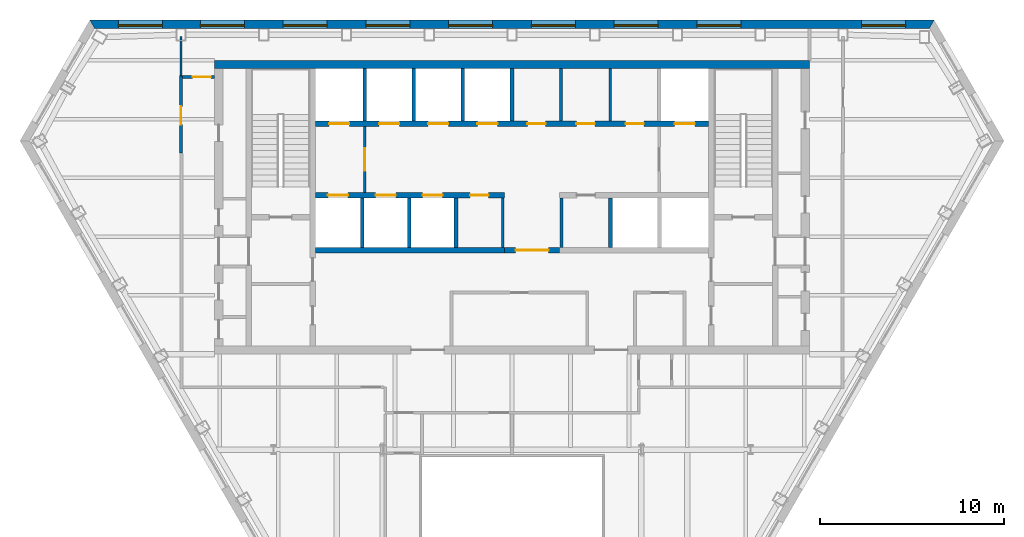
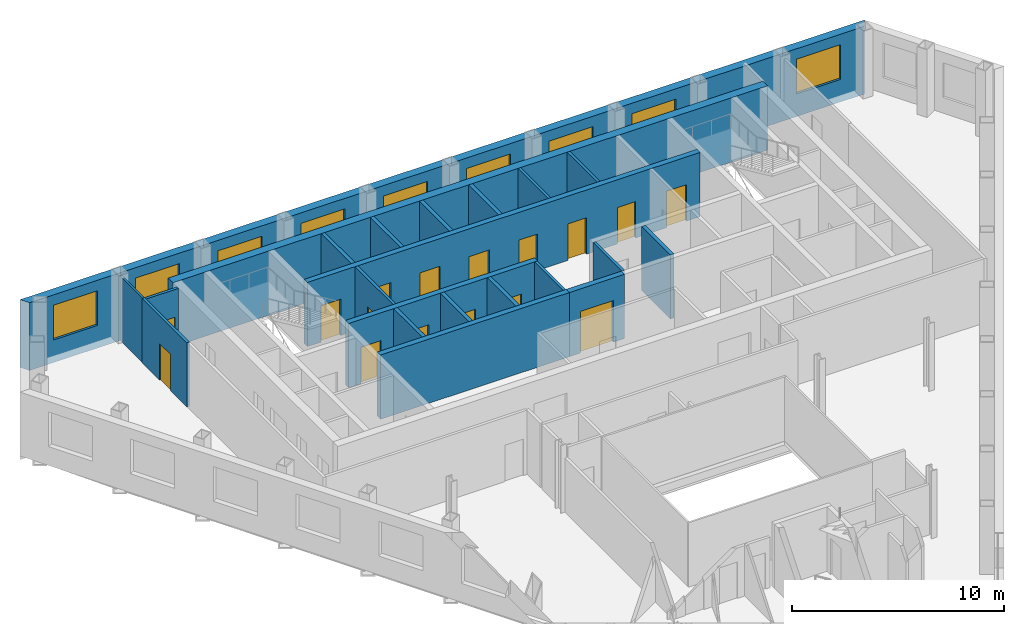
# One storey, part 6 of 10: 22 walls, 16 doors, 9 windows, 25 openings.
"""IFC4 building model written with IfcOpenShell, lengths in metres."""

from ifc_helpers import new_model, si_unit, direction, frame, frame_2d, origin, place, context, subcontext, project, spatial, polyline, rectangle, outline, extrude, material, layer, layer_set, type_object, element, fill, save


model = new_model("IFC4")

# Units and contexts
model_context = context("Model", 3, precision=1e-05, world=origin(), true_north=direction((0.0, 1.0)))
body_context = subcontext(model_context, "Body", "Model", "MODEL_VIEW")
ifc_project = project(units=[si_unit("LENGTHUNIT", "METRE"), si_unit("AREAUNIT", "SQUARE_METRE"), si_unit("VOLUMEUNIT", "CUBIC_METRE"), si_unit("PLANEANGLEUNIT", "RADIAN"), si_unit("MASSUNIT", "GRAM", prefix="KILO")], contexts=[model_context])

# Site, building, storey
site_placement = place(None, origin())
site = spatial("IfcSite", under=ifc_project, at=site_placement, CompositionType="ELEMENT")
building_placement = place(site_placement, origin())
building = spatial("IfcBuilding", under=site, at=building_placement, Name="Njiva Tower", CompositionType="ELEMENT")
storey_placement = place(building_placement, frame((0.0, 0.0, 192.6)))
storey = spatial("IfcBuildingStorey", under=building, at=storey_placement, Name="L42", CompositionType="ELEMENT", Elevation=192.6)

# Walls
ifc_material_1 = material(Name="Blockwork", Category="masonry")
ifc_layer_1 = layer(ifc_material_1, 0.15)
ifc_layer_set_1 = layer_set([ifc_layer_1], Name="Blockwork")
wall_type_1 = type_object("IfcWallType", Name="WT1 Compartment partition 150", PredefinedType="PARTITIONING", material=ifc_layer_set_1)
for number, where, z_axis, x_axis, name in (
    (1, (2.675, 14.7, 0.0), (0.0, 0.0, 1.0), (0.0, 1.0, 0.0), "Partition CN5"),
    (2, (5.35, 14.7, 0.0), (0.0, 0.0, 1.0), (0.0, 1.0, 0.0), "Partition CN6"),
):
    element("IfcWall", number, at=place(storey_placement, frame(where, z_axis=z_axis, x_axis=x_axis)), inside=storey, type_object=wall_type_1, Name=name, PredefinedType="PARTITIONING", context=body_context, shape_type="SweptSolid", body=[
        extrude(rectangle(XDim=2.85, YDim=0.15, at=frame_2d((1.425, 0.0))), origin(), (0.0, 0.0, 1.0), 3.7),
    ])
for number, where, z_axis, x_axis, name in (
    (3, (-0.5, 7.8, 0.0), (0.0, 0.0, 1.0), (0.0, 1.0, 0.0), "Partition CS4"),
    (4, (2.7, 7.8, 0.0), (0.0, 0.0, 1.0), (0.0, 1.0, 0.0), "Partition CS5"),
):
    element("IfcWall", number, at=place(storey_placement, frame(where, z_axis=z_axis, x_axis=x_axis)), inside=storey, type_object=wall_type_1, Name=name, PredefinedType="PARTITIONING", context=body_context, shape_type="SweptSolid", body=[
        extrude(rectangle(XDim=2.7, YDim=0.15, at=frame_2d((1.35, 0.0))), origin(), (0.0, 0.0, 1.0), 3.7),
    ])
ifc_material_2 = material(Name="Concrete C60/75", Category="concrete")
ifc_layer_2 = layer(ifc_material_2, 0.45)
ifc_layer_set_2 = layer_set([ifc_layer_2], Name="Concrete C60/75")
wall_type_2 = type_object("IfcWallType", Name="WT12 Core wall 450", PredefinedType="SHEAR", material=ifc_layer_set_2)
wall_1_placement = place(storey_placement, frame((-16.2, 17.775, 0.0), z_axis=(0.0, 0.0, 1.0), x_axis=(1.0, 0.0, 0.0)))
element("IfcWall", 5, at=wall_1_placement, inside=storey, type_object=wall_type_2, Name="Core wall north", PredefinedType="SHEAR", context=body_context, shape_type="SweptSolid", body=[
    extrude(rectangle(XDim=32.4, YDim=0.45, at=frame_2d((16.2, 0.0))), origin(), (0.0, 0.0, 1.0), 3.7),
])

# Wall, opening, door
ifc_layer_3 = layer(ifc_material_1, 0.15)
ifc_layer_set_3 = layer_set([ifc_layer_3], Name="Blockwork")
wall_type_3 = type_object("IfcWallType", Name="WT2 Lobby partition 150", PredefinedType="PARTITIONING", material=ifc_layer_set_3)
wall_2_placement = place(storey_placement, frame((-8.025, 10.8, 0.0), z_axis=(0.0, 0.0, 1.0), x_axis=(0.0, 1.0, 0.0)))
wall_2 = element("IfcWall", 6, at=wall_2_placement, inside=storey, type_object=wall_type_3, Name="Firefighting lobby wall A", PredefinedType="PARTITIONING", context=body_context, shape_type="SweptSolid", body=[
    extrude(rectangle(XDim=3.6, YDim=0.15, at=frame_2d((1.8, 0.0))), origin(), (0.0, 0.0, 1.0), 3.7),
])
opening_1_placement = place(wall_2_placement, frame((1.175, 0.0, 0.0)))
opening_1 = element("IfcOpeningElement", 7, at=opening_1_placement, cuts=wall_2, Name="Opening S14-D914", PredefinedType="OPENING", context=body_context, shape_type="SweptSolid", body=[
    extrude(rectangle(XDim=1.25, YDim=2.1, at=frame_2d((0.625, 1.05))), frame((0.0, 0.085, 0.0), z_axis=(0.0, -1.0, 0.0), x_axis=(1.0, 0.0, 0.0)), (0.0, 0.0, 1.0), 0.17),
])
ifc_material_3 = material(Name="Glazed steel fire door", Category="steel")
door_type_1 = type_object("IfcDoorType", Name="D8 Vestibule corridor door 1250x2100 glazed", OperationType="SINGLE_SWING_LEFT", PredefinedType="DOOR", material=ifc_material_3)
door_1_placement = place(opening_1_placement, origin())
door_1 = element("IfcDoor", 8, at=door_1_placement, inside=storey, type_object=door_type_1, Name="Stair vestibule corridor door", OperationType="SINGLE_SWING_RIGHT", OverallHeight=2.1, OverallWidth=1.25, PredefinedType="DOOR", context=body_context, shape_type="SweptSolid", body=[
    extrude(rectangle(XDim=1.25, YDim=2.1, at=frame_2d((0.625, 1.05))), frame((0.0, 0.025, 0.0), z_axis=(0.0, -1.0, 0.0), x_axis=(1.0, 0.0, 0.0)), (0.0, 0.0, 1.0), 0.05),
])
fill(opening_1, door_1)

# Wall
ifc_material_4 = material(Name="Gypsum board on steel studs", Category="gypsum")
ifc_layer_4 = layer(ifc_material_4, 0.1)
ifc_layer_set_4 = layer_set([ifc_layer_4], Name="Gypsum board on steel studs")
wall_type_4 = type_object("IfcWallType", Name="WT20 Gypsum partition 100", PredefinedType="PARTITIONING", material=ifc_layer_set_4)
wall_3_placement = place(storey_placement, frame((-18.031, 17.168, 0.0), z_axis=(0.0, 0.0, 1.0), x_axis=(0.0, 1.0, 0.0)))
element("IfcWall", 9, at=wall_3_placement, inside=storey, type_object=wall_type_4, Name="Partition S14-P002", PredefinedType="PARTITIONING", context=body_context, shape_type="SweptSolid", body=[
    extrude(rectangle(XDim=2.132, YDim=0.1, at=frame_2d((1.066, 0.0))), origin(), (0.0, 0.0, 1.0), 3.7),
])

# Wall, opening, door
ifc_layer_5 = layer(ifc_material_4, 0.15)
ifc_layer_set_5 = layer_set([ifc_layer_5], Name="Gypsum board on steel studs")
wall_type_5 = type_object("IfcWallType", Name="WT21 Compartment wall 150", PredefinedType="PARTITIONING", material=ifc_layer_set_5)
wall_4_placement = place(storey_placement, frame((-18.031, 12.943, 0.0), z_axis=(0.0, 0.0, 1.0), x_axis=(0.0, 1.0, 0.0)))
wall_4 = element("IfcWall", 10, at=wall_4_placement, inside=storey, type_object=wall_type_5, Name="Partition S14-P001", PredefinedType="PARTITIONING", context=body_context, shape_type="SweptSolid", body=[
    extrude(rectangle(XDim=4.225, YDim=0.15, at=frame_2d((2.1125, 0.0))), origin(), (0.0, 0.0, 1.0), 3.7),
])
opening_2_placement = place(wall_4_placement, frame((1.556, 0.0, 0.0)))
opening_2 = element("IfcOpeningElement", 11, at=opening_2_placement, cuts=wall_4, Name="Opening S14-D001", PredefinedType="OPENING", context=body_context, shape_type="SweptSolid", body=[
    extrude(rectangle(XDim=1.0, YDim=2.1, at=frame_2d((0.5, 1.05))), frame((0.0, 0.085, 0.0), z_axis=(0.0, -1.0, 0.0), x_axis=(1.0, 0.0, 0.0)), (0.0, 0.0, 1.0), 0.17),
])
ifc_material_5 = material(Name="Steel fire door set", Category="steel")
door_type_2 = type_object("IfcDoorType", Name="D37 Fire door 1000x2100", OperationType="SINGLE_SWING_LEFT", PredefinedType="DOOR", material=ifc_material_5)
door_2_placement = place(opening_2_placement, origin())
door_2 = element("IfcDoor", 12, at=door_2_placement, inside=storey, type_object=door_type_2, Name="Door S14-D001", OperationType="SINGLE_SWING_LEFT", OverallHeight=2.1, OverallWidth=1.0, PredefinedType="DOOR", context=body_context, shape_type="SweptSolid", body=[
    extrude(rectangle(XDim=1.0, YDim=2.1, at=frame_2d((0.5, 1.05))), frame((0.0, 0.025, 0.0), z_axis=(0.0, -1.0, 0.0), x_axis=(1.0, 0.0, 0.0)), (0.0, 0.0, 1.0), 0.05),
])
fill(opening_2, door_2)

wall_5_placement = place(storey_placement, frame((-17.956, 17.093, 0.0), z_axis=(0.0, 0.0, 1.0), x_axis=(1.0, 0.0, 0.0)))
wall_5 = element("IfcWall", 13, at=wall_5_placement, inside=storey, type_object=wall_type_5, Name="Partition S14-P004", PredefinedType="PARTITIONING", context=body_context, shape_type="SweptSolid", body=[
    extrude(rectangle(XDim=1.756, YDim=0.15, at=frame_2d((0.878, 0.0))), origin(), (0.0, 0.0, 1.0), 3.7),
])
opening_3_placement = place(wall_5_placement, frame((0.556, 0.0, 0.0)))
opening_3 = element("IfcOpeningElement", 14, at=opening_3_placement, cuts=wall_5, Name="Opening S14-D002", PredefinedType="OPENING", context=body_context, shape_type="SweptSolid", body=[
    extrude(rectangle(XDim=1.0, YDim=2.1, at=frame_2d((0.5, 1.05))), frame((0.0, 0.085, 0.0), z_axis=(0.0, -1.0, 0.0), x_axis=(1.0, 0.0, 0.0)), (0.0, 0.0, 1.0), 0.17),
])
door_3_placement = place(opening_3_placement, origin())
door_3 = element("IfcDoor", 15, at=door_3_placement, inside=storey, type_object=door_type_2, Name="Door S14-D002", OperationType="SINGLE_SWING_LEFT", OverallHeight=2.1, OverallWidth=1.0, PredefinedType="DOOR", context=body_context, shape_type="SweptSolid", body=[
    extrude(rectangle(XDim=1.0, YDim=2.1, at=frame_2d((0.5, 1.05))), frame((0.0, 0.025, 0.0), z_axis=(0.0, -1.0, 0.0), x_axis=(1.0, 0.0, 0.0)), (0.0, 0.0, 1.0), 0.05),
])
fill(opening_3, door_3)

ifc_layer_6 = layer(ifc_material_1, 0.3)
ifc_layer_set_6 = layer_set([ifc_layer_6], Name="Blockwork")
wall_type_6 = type_object("IfcWallType", Name="WT5 Lobby partition 300", PredefinedType="PARTITIONING", material=ifc_layer_set_6)
wall_6_placement = place(storey_placement, frame((-0.4, 7.65, 0.0), z_axis=(0.0, 0.0, 1.0), x_axis=(1.0, 0.0, 0.0)))
wall_6 = element("IfcWall", 16, at=wall_6_placement, inside=storey, type_object=wall_type_6, Name="Lift lobby screen wall", PredefinedType="PARTITIONING", context=body_context, shape_type="SweptSolid", body=[
    extrude(rectangle(XDim=3.0, YDim=0.3, at=frame_2d((1.5, 0.0))), origin(), (0.0, 0.0, 1.0), 3.7),
])
opening_4_placement = place(wall_6_placement, frame((0.6, 0.0, 0.0)))
opening_4 = element("IfcOpeningElement", 17, at=opening_4_placement, cuts=wall_6, Name="Opening S14-D936", PredefinedType="OPENING", context=body_context, shape_type="SweptSolid", body=[
    extrude(rectangle(XDim=1.8, YDim=2.4, at=frame_2d((0.9, 1.2))), frame((0.0, 0.16, 0.0), z_axis=(0.0, -1.0, 0.0), x_axis=(1.0, 0.0, 0.0)), (0.0, 0.0, 1.0), 0.32),
])
ifc_material_6 = material(Name="Steel and glass door", Category="steel")
door_type_3 = type_object("IfcDoorType", Name="D3 Core entrance door 1800x2400", OperationType="DOUBLE_DOOR_SINGLE_SWING", PredefinedType="DOOR", material=ifc_material_6)
door_4_placement = place(opening_4_placement, origin())
door_4 = element("IfcDoor", 18, at=door_4_placement, inside=storey, type_object=door_type_3, Name="Core entrance door", OperationType="DOUBLE_DOOR_SINGLE_SWING", OverallHeight=2.4, OverallWidth=1.8, PredefinedType="DOOR", context=body_context, shape_type="SweptSolid", body=[
    extrude(rectangle(XDim=1.8, YDim=2.4, at=frame_2d((0.9, 1.2))), frame((0.0, 0.025, 0.0), z_axis=(0.0, -1.0, 0.0), x_axis=(1.0, 0.0, 0.0)), (0.0, 0.0, 1.0), 0.05),
])
fill(opening_4, door_4)

# Walls
ifc_material_7 = material(Name="Concrete C40/50", Category="concrete")
ifc_layer_7 = layer(ifc_material_7, 0.2)
ifc_layer_set_7 = layer_set([ifc_layer_7], Name="Concrete C40/50")
wall_type_7 = type_object("IfcWallType", Name="WT6 Lift shaft wall 200", PredefinedType="SHEAR", material=ifc_layer_set_7)
for number, where, z_axis, x_axis, name in (
    (19, (-8.025, 14.7, 0.0), (0.0, 0.0, 1.0), (0.0, 1.0, 0.0), "Shaft wall CN1"),
    (20, (-5.35, 14.7, 0.0), (0.0, 0.0, 1.0), (0.0, 1.0, 0.0), "Shaft wall CN2"),
    (21, (-2.675, 14.7, 0.0), (0.0, 0.0, 1.0), (0.0, 1.0, 0.0), "Shaft wall CN3"),
    (22, (0.0, 14.7, 0.0), (0.0, 0.0, 1.0), (0.0, 1.0, 0.0), "Shaft wall CN4"),
):
    element("IfcWall", number, at=place(storey_placement, frame(where, z_axis=z_axis, x_axis=x_axis)), inside=storey, type_object=wall_type_7, Name=name, PredefinedType="SHEAR", context=body_context, shape_type="SweptSolid", body=[
        extrude(rectangle(XDim=2.85, YDim=0.2, at=frame_2d((1.425, 0.0))), origin(), (0.0, 0.0, 1.0), 3.7),
    ])
for number, where, z_axis, x_axis, name in (
    (23, (-8.15, 7.8, 0.0), (0.0, 0.0, 1.0), (0.0, 1.0, 0.0), "Shaft wall CS1"),
    (24, (-5.6, 7.8, 0.0), (0.0, 0.0, 1.0), (0.0, 1.0, 0.0), "Shaft wall CS2"),
    (25, (-3.05, 7.8, 0.0), (0.0, 0.0, 1.0), (0.0, 1.0, 0.0), "Shaft wall CS3"),
    (26, (5.3667, 7.8, 0.0), (0.0, 0.0, 1.0), (0.0, 1.0, 0.0), "Shaft wall CS6"),
):
    element("IfcWall", number, at=place(storey_placement, frame(where, z_axis=z_axis, x_axis=x_axis)), inside=storey, type_object=wall_type_7, Name=name, PredefinedType="SHEAR", context=body_context, shape_type="SweptSolid", body=[
        extrude(rectangle(XDim=2.7, YDim=0.2, at=frame_2d((1.35, 0.0))), origin(), (0.0, 0.0, 1.0), 3.7),
    ])

# Wall, openings, doors
ifc_layer_8 = layer(ifc_material_7, 0.3)
ifc_layer_set_8 = layer_set([ifc_layer_8], Name="Concrete C40/50")
wall_type_8 = type_object("IfcWallType", Name="WT7 Lift shaft wall 300", PredefinedType="SHEAR", material=ifc_layer_set_8)
wall_7_placement = place(storey_placement, frame((-10.7, 14.55, 0.0), z_axis=(0.0, 0.0, 1.0), x_axis=(1.0, 0.0, 0.0)))
wall_7 = element("IfcWall", 27, at=wall_7_placement, inside=storey, type_object=wall_type_8, Name="Shaft wall north row lobby side", PredefinedType="SHEAR", context=body_context, shape_type="SweptSolid", body=[
    extrude(rectangle(XDim=21.4, YDim=0.3, at=frame_2d((10.7, 0.0))), origin(), (0.0, 0.0, 1.0), 3.7),
])
opening_5_placement = place(wall_7_placement, frame((0.7375, 0.0, 0.0)))
opening_5 = element("IfcOpeningElement", 28, at=opening_5_placement, cuts=wall_7, Name="Opening S14-D901", PredefinedType="OPENING", context=body_context, shape_type="SweptSolid", body=[
    extrude(rectangle(XDim=1.1, YDim=2.1, at=frame_2d((0.55, 1.05))), frame((0.0, 0.16, 0.0), z_axis=(0.0, -1.0, 0.0), x_axis=(1.0, 0.0, 0.0)), (0.0, 0.0, 1.0), 0.32),
])
opening_6_placement = place(wall_7_placement, frame((3.4625, 0.0, 0.0)))
opening_6 = element("IfcOpeningElement", 29, at=opening_6_placement, cuts=wall_7, Name="Opening S14-D902", PredefinedType="OPENING", context=body_context, shape_type="SweptSolid", body=[
    extrude(rectangle(XDim=1.1, YDim=2.1, at=frame_2d((0.55, 1.05))), frame((0.0, 0.16, 0.0), z_axis=(0.0, -1.0, 0.0), x_axis=(1.0, 0.0, 0.0)), (0.0, 0.0, 1.0), 0.32),
])
opening_7_placement = place(wall_7_placement, frame((6.1375, 0.0, 0.0)))
opening_7 = element("IfcOpeningElement", 30, at=opening_7_placement, cuts=wall_7, Name="Opening S14-D903", PredefinedType="OPENING", context=body_context, shape_type="SweptSolid", body=[
    extrude(rectangle(XDim=1.1, YDim=2.1, at=frame_2d((0.55, 1.05))), frame((0.0, 0.16, 0.0), z_axis=(0.0, -1.0, 0.0), x_axis=(1.0, 0.0, 0.0)), (0.0, 0.0, 1.0), 0.32),
])
opening_8_placement = place(wall_7_placement, frame((8.8125, 0.0, 0.0)))
opening_8 = element("IfcOpeningElement", 31, at=opening_8_placement, cuts=wall_7, Name="Opening S14-D904", PredefinedType="OPENING", context=body_context, shape_type="SweptSolid", body=[
    extrude(rectangle(XDim=1.1, YDim=2.1, at=frame_2d((0.55, 1.05))), frame((0.0, 0.16, 0.0), z_axis=(0.0, -1.0, 0.0), x_axis=(1.0, 0.0, 0.0)), (0.0, 0.0, 1.0), 0.32),
])
opening_9_placement = place(wall_7_placement, frame((19.5625, 0.0, 0.0)))
opening_9 = element("IfcOpeningElement", 32, at=opening_9_placement, cuts=wall_7, Name="Opening S14-D905", PredefinedType="OPENING", context=body_context, shape_type="SweptSolid", body=[
    extrude(rectangle(XDim=1.1, YDim=2.1, at=frame_2d((0.55, 1.05))), frame((0.0, 0.16, 0.0), z_axis=(0.0, -1.0, 0.0), x_axis=(1.0, 0.0, 0.0)), (0.0, 0.0, 1.0), 0.32),
])
opening_10_placement = place(wall_7_placement, frame((11.5375, 0.0, 0.0)))
opening_10 = element("IfcOpeningElement", 33, at=opening_10_placement, cuts=wall_7, Name="Opening S14-D909", PredefinedType="OPENING", context=body_context, shape_type="SweptSolid", body=[
    extrude(rectangle(XDim=1.0, YDim=2.1, at=frame_2d((0.5, 1.05))), frame((0.0, 0.16, 0.0), z_axis=(0.0, -1.0, 0.0), x_axis=(1.0, 0.0, 0.0)), (0.0, 0.0, 1.0), 0.32),
])
opening_11_placement = place(wall_7_placement, frame((14.2125, 0.0, 0.0)))
opening_11 = element("IfcOpeningElement", 34, at=opening_11_placement, cuts=wall_7, Name="Opening S14-D910", PredefinedType="OPENING", context=body_context, shape_type="SweptSolid", body=[
    extrude(rectangle(XDim=1.0, YDim=2.1, at=frame_2d((0.5, 1.05))), frame((0.0, 0.16, 0.0), z_axis=(0.0, -1.0, 0.0), x_axis=(1.0, 0.0, 0.0)), (0.0, 0.0, 1.0), 0.32),
])
opening_12_placement = place(wall_7_placement, frame((16.8875, 0.0, 0.0)))
opening_12 = element("IfcOpeningElement", 35, at=opening_12_placement, cuts=wall_7, Name="Opening S14-D911", PredefinedType="OPENING", context=body_context, shape_type="SweptSolid", body=[
    extrude(rectangle(XDim=1.0, YDim=2.1, at=frame_2d((0.5, 1.05))), frame((0.0, 0.16, 0.0), z_axis=(0.0, -1.0, 0.0), x_axis=(1.0, 0.0, 0.0)), (0.0, 0.0, 1.0), 0.32),
])
ifc_material_8 = material(Name="Steel door, painted", Category="steel")
door_type_4 = type_object("IfcDoorType", Name="D5 Steel door 1000x2100", OperationType="SINGLE_SWING_LEFT", PredefinedType="DOOR", material=ifc_material_8)
door_5_placement = place(opening_10_placement, origin())
door_5 = element("IfcDoor", 36, at=door_5_placement, inside=storey, type_object=door_type_4, Name="First aid room door", OperationType="SINGLE_SWING_LEFT", OverallHeight=2.1, OverallWidth=1.0, PredefinedType="DOOR", context=body_context, shape_type="SweptSolid", body=[
    extrude(rectangle(XDim=1.0, YDim=2.1, at=frame_2d((0.5, 1.05))), frame((0.0, 0.025, 0.0), z_axis=(0.0, -1.0, 0.0), x_axis=(1.0, 0.0, 0.0)), (0.0, 0.0, 1.0), 0.05),
])
fill(opening_10, door_5)
door_6_placement = place(opening_11_placement, origin())
door_6 = element("IfcDoor", 37, at=door_6_placement, inside=storey, type_object=door_type_4, Name="Breakout room door", OperationType="SINGLE_SWING_LEFT", OverallHeight=2.1, OverallWidth=1.0, PredefinedType="DOOR", context=body_context, shape_type="SweptSolid", body=[
    extrude(rectangle(XDim=1.0, YDim=2.1, at=frame_2d((0.5, 1.05))), frame((0.0, 0.025, 0.0), z_axis=(0.0, -1.0, 0.0), x_axis=(1.0, 0.0, 0.0)), (0.0, 0.0, 1.0), 0.05),
])
fill(opening_11, door_6)
door_7_placement = place(opening_12_placement, origin())
door_7 = element("IfcDoor", 38, at=door_7_placement, inside=storey, type_object=door_type_4, Name="Reading room door", OperationType="SINGLE_SWING_LEFT", OverallHeight=2.1, OverallWidth=1.0, PredefinedType="DOOR", context=body_context, shape_type="SweptSolid", body=[
    extrude(rectangle(XDim=1.0, YDim=2.1, at=frame_2d((0.5, 1.05))), frame((0.0, 0.025, 0.0), z_axis=(0.0, -1.0, 0.0), x_axis=(1.0, 0.0, 0.0)), (0.0, 0.0, 1.0), 0.05),
])
fill(opening_12, door_7)
ifc_material_9 = material(Name="Stainless steel sliding door", Category="steel")
door_type_5 = type_object("IfcDoorType", Name="LD Lift landing door 1100x2100", OperationType="SLIDING_TO_LEFT", PredefinedType="DOOR", material=ifc_material_9)
door_8_placement = place(opening_5_placement, origin())
door_8 = element("IfcDoor", 39, at=door_8_placement, inside=storey, type_object=door_type_5, Name="Lift landing door FF1", OperationType="SLIDING_TO_LEFT", OverallHeight=2.1, OverallWidth=1.1, PredefinedType="DOOR", context=body_context, shape_type="SweptSolid", body=[
    extrude(rectangle(XDim=1.1, YDim=2.1, at=frame_2d((0.55, 1.05))), frame((0.0, 0.025, 0.0), z_axis=(0.0, -1.0, 0.0), x_axis=(1.0, 0.0, 0.0)), (0.0, 0.0, 1.0), 0.05),
])
fill(opening_5, door_8)
door_9_placement = place(opening_6_placement, origin())
door_9 = element("IfcDoor", 40, at=door_9_placement, inside=storey, type_object=door_type_5, Name="Lift landing door MB4", OperationType="SLIDING_TO_LEFT", OverallHeight=2.1, OverallWidth=1.1, PredefinedType="DOOR", context=body_context, shape_type="SweptSolid", body=[
    extrude(rectangle(XDim=1.1, YDim=2.1, at=frame_2d((0.55, 1.05))), frame((0.0, 0.025, 0.0), z_axis=(0.0, -1.0, 0.0), x_axis=(1.0, 0.0, 0.0)), (0.0, 0.0, 1.0), 0.05),
])
fill(opening_6, door_9)
door_10_placement = place(opening_7_placement, origin())
door_10 = element("IfcDoor", 41, at=door_10_placement, inside=storey, type_object=door_type_5, Name="Lift landing door MB5", OperationType="SLIDING_TO_LEFT", OverallHeight=2.1, OverallWidth=1.1, PredefinedType="DOOR", context=body_context, shape_type="SweptSolid", body=[
    extrude(rectangle(XDim=1.1, YDim=2.1, at=frame_2d((0.55, 1.05))), frame((0.0, 0.025, 0.0), z_axis=(0.0, -1.0, 0.0), x_axis=(1.0, 0.0, 0.0)), (0.0, 0.0, 1.0), 0.05),
])
fill(opening_7, door_10)
door_11_placement = place(opening_8_placement, origin())
door_11 = element("IfcDoor", 42, at=door_11_placement, inside=storey, type_object=door_type_5, Name="Lift landing door MB6", OperationType="SLIDING_TO_LEFT", OverallHeight=2.1, OverallWidth=1.1, PredefinedType="DOOR", context=body_context, shape_type="SweptSolid", body=[
    extrude(rectangle(XDim=1.1, YDim=2.1, at=frame_2d((0.55, 1.05))), frame((0.0, 0.025, 0.0), z_axis=(0.0, -1.0, 0.0), x_axis=(1.0, 0.0, 0.0)), (0.0, 0.0, 1.0), 0.05),
])
fill(opening_8, door_11)
door_12_placement = place(opening_9_placement, origin())
door_12 = element("IfcDoor", 43, at=door_12_placement, inside=storey, type_object=door_type_5, Name="Lift landing door FF2", OperationType="SLIDING_TO_LEFT", OverallHeight=2.1, OverallWidth=1.1, PredefinedType="DOOR", context=body_context, shape_type="SweptSolid", body=[
    extrude(rectangle(XDim=1.1, YDim=2.1, at=frame_2d((0.55, 1.05))), frame((0.0, 0.025, 0.0), z_axis=(0.0, -1.0, 0.0), x_axis=(1.0, 0.0, 0.0)), (0.0, 0.0, 1.0), 0.05),
])
fill(opening_9, door_12)

wall_8_placement = place(storey_placement, frame((-10.7, 10.65, 0.0), z_axis=(0.0, 0.0, 1.0), x_axis=(1.0, 0.0, 0.0)))
wall_8 = element("IfcWall", 44, at=wall_8_placement, inside=storey, type_object=wall_type_8, Name="Shaft wall south row lobby side W", PredefinedType="SHEAR", context=body_context, shape_type="SweptSolid", body=[
    extrude(rectangle(XDim=10.3, YDim=0.3, at=frame_2d((5.15, 0.0))), origin(), (0.0, 0.0, 1.0), 3.7),
])
opening_13_placement = place(wall_8_placement, frame((0.675, 0.0, 0.0)))
opening_13 = element("IfcOpeningElement", 45, at=opening_13_placement, cuts=wall_8, Name="Opening S14-D906", PredefinedType="OPENING", context=body_context, shape_type="SweptSolid", body=[
    extrude(rectangle(XDim=1.1, YDim=2.1, at=frame_2d((0.55, 1.05))), frame((0.0, 0.16, 0.0), z_axis=(0.0, -1.0, 0.0), x_axis=(1.0, 0.0, 0.0)), (0.0, 0.0, 1.0), 0.32),
])
opening_14_placement = place(wall_8_placement, frame((3.275, 0.0, 0.0)))
opening_14 = element("IfcOpeningElement", 46, at=opening_14_placement, cuts=wall_8, Name="Opening S14-D907", PredefinedType="OPENING", context=body_context, shape_type="SweptSolid", body=[
    extrude(rectangle(XDim=1.1, YDim=2.1, at=frame_2d((0.55, 1.05))), frame((0.0, 0.16, 0.0), z_axis=(0.0, -1.0, 0.0), x_axis=(1.0, 0.0, 0.0)), (0.0, 0.0, 1.0), 0.32),
])
opening_15_placement = place(wall_8_placement, frame((5.825, 0.0, 0.0)))
opening_15 = element("IfcOpeningElement", 47, at=opening_15_placement, cuts=wall_8, Name="Opening S14-D908", PredefinedType="OPENING", context=body_context, shape_type="SweptSolid", body=[
    extrude(rectangle(XDim=1.1, YDim=2.1, at=frame_2d((0.55, 1.05))), frame((0.0, 0.16, 0.0), z_axis=(0.0, -1.0, 0.0), x_axis=(1.0, 0.0, 0.0)), (0.0, 0.0, 1.0), 0.32),
])
opening_16_placement = place(wall_8_placement, frame((8.425, 0.0, 0.0)))
opening_16 = element("IfcOpeningElement", 48, at=opening_16_placement, cuts=wall_8, Name="Opening S14-D912", PredefinedType="OPENING", context=body_context, shape_type="SweptSolid", body=[
    extrude(rectangle(XDim=1.0, YDim=2.1, at=frame_2d((0.5, 1.05))), frame((0.0, 0.16, 0.0), z_axis=(0.0, -1.0, 0.0), x_axis=(1.0, 0.0, 0.0)), (0.0, 0.0, 1.0), 0.32),
])
door_13_placement = place(opening_16_placement, origin())
door_13 = element("IfcDoor", 49, at=door_13_placement, inside=storey, type_object=door_type_4, Name="Quiet room door", OperationType="SINGLE_SWING_RIGHT", OverallHeight=2.1, OverallWidth=1.0, PredefinedType="DOOR", context=body_context, shape_type="SweptSolid", body=[
    extrude(rectangle(XDim=1.0, YDim=2.1, at=frame_2d((0.5, 1.05))), frame((0.0, 0.025, 0.0), z_axis=(0.0, -1.0, 0.0), x_axis=(1.0, 0.0, 0.0)), (0.0, 0.0, 1.0), 0.05),
])
fill(opening_16, door_13)
door_14_placement = place(opening_13_placement, origin())
door_14 = element("IfcDoor", 50, at=door_14_placement, inside=storey, type_object=door_type_5, Name="Lift landing door MB1", OperationType="SLIDING_TO_LEFT", OverallHeight=2.1, OverallWidth=1.1, PredefinedType="DOOR", context=body_context, shape_type="SweptSolid", body=[
    extrude(rectangle(XDim=1.1, YDim=2.1, at=frame_2d((0.55, 1.05))), frame((0.0, 0.025, 0.0), z_axis=(0.0, -1.0, 0.0), x_axis=(1.0, 0.0, 0.0)), (0.0, 0.0, 1.0), 0.05),
])
fill(opening_13, door_14)
door_15_placement = place(opening_14_placement, origin())
door_15 = element("IfcDoor", 51, at=door_15_placement, inside=storey, type_object=door_type_5, Name="Lift landing door MB2", OperationType="SLIDING_TO_LEFT", OverallHeight=2.1, OverallWidth=1.1, PredefinedType="DOOR", context=body_context, shape_type="SweptSolid", body=[
    extrude(rectangle(XDim=1.1, YDim=2.1, at=frame_2d((0.55, 1.05))), frame((0.0, 0.025, 0.0), z_axis=(0.0, -1.0, 0.0), x_axis=(1.0, 0.0, 0.0)), (0.0, 0.0, 1.0), 0.05),
])
fill(opening_14, door_15)
door_16_placement = place(opening_15_placement, origin())
door_16 = element("IfcDoor", 52, at=door_16_placement, inside=storey, type_object=door_type_5, Name="Lift landing door MB3", OperationType="SLIDING_TO_LEFT", OverallHeight=2.1, OverallWidth=1.1, PredefinedType="DOOR", context=body_context, shape_type="SweptSolid", body=[
    extrude(rectangle(XDim=1.1, YDim=2.1, at=frame_2d((0.55, 1.05))), frame((0.0, 0.025, 0.0), z_axis=(0.0, -1.0, 0.0), x_axis=(1.0, 0.0, 0.0)), (0.0, 0.0, 1.0), 0.05),
])
fill(opening_15, door_16)

# Wall
wall_9_placement = place(storey_placement, frame((-10.7, 7.65, 0.0), z_axis=(0.0, 0.0, 1.0), x_axis=(1.0, 0.0, 0.0)))
element("IfcWall", 53, at=wall_9_placement, inside=storey, type_object=wall_type_8, Name="Shaft wall south row back W", PredefinedType="SHEAR", context=body_context, shape_type="SweptSolid", body=[
    extrude(rectangle(XDim=10.3, YDim=0.3, at=frame_2d((5.15, 0.0))), origin(), (0.0, 0.0, 1.0), 3.7),
])

# Wall, openings, windows
ifc_material_10 = material(Name="Brick masonry", Category="masonry")
ifc_layer_9 = layer(ifc_material_10, 0.45)
ifc_layer_set_9 = layer_set([ifc_layer_9], Name="Brick masonry")
wall_type_9 = type_object("IfcWallType", Name="WT90 Brick pier and spandrel wall 450", PredefinedType="SOLIDWALL", material=ifc_layer_set_9)
wall_10_placement = place(storey_placement, frame((22.8701, 19.975, -0.4), z_axis=(0.0, 0.0, 1.0), x_axis=(-1.0, 0.0, 0.0)))
wall_10 = element("IfcWall", 54, at=wall_10_placement, inside=storey, type_object=wall_type_9, Name="Facade wall N", PredefinedType="SOLIDWALL", context=body_context, shape_type="SweptSolid", body=[
    extrude(outline(polyline([(-0.1299, -0.225), (45.8701, -0.225), (45.6103, 0.225), (0.1299, 0.225), (-0.1299, -0.225)])), origin(), (0.0, 0.0, 1.0), 3.9),
])
opening_17_placement = place(wall_10_placement, frame((1.4242, 0.0, 1.3)))
opening_17 = element("IfcOpeningElement", 55, at=opening_17_placement, cuts=wall_10, Name="Opening S14-W01", PredefinedType="OPENING", context=body_context, shape_type="SweptSolid", body=[
    extrude(rectangle(XDim=2.4, YDim=2.0, at=frame_2d((1.2, 1.0))), frame((0.0, 0.235, 0.0), z_axis=(0.0, -1.0, 0.0), x_axis=(1.0, 0.0, 0.0)), (0.0, 0.0, 1.0), 0.47),
])
opening_18_placement = place(wall_10_placement, frame((10.401, 0.0, 1.3)))
opening_18 = element("IfcOpeningElement", 56, at=opening_18_placement, cuts=wall_10, Name="Opening S14-W02", PredefinedType="OPENING", context=body_context, shape_type="SweptSolid", body=[
    extrude(rectangle(XDim=2.4, YDim=2.0, at=frame_2d((1.2, 1.0))), frame((0.0, 0.235, 0.0), z_axis=(0.0, -1.0, 0.0), x_axis=(1.0, 0.0, 0.0)), (0.0, 0.0, 1.0), 0.47),
])
opening_19_placement = place(wall_10_placement, frame((14.9087, 0.0, 1.3)))
opening_19 = element("IfcOpeningElement", 57, at=opening_19_placement, cuts=wall_10, Name="Opening S14-W03", PredefinedType="OPENING", context=body_context, shape_type="SweptSolid", body=[
    extrude(rectangle(XDim=2.4, YDim=2.0, at=frame_2d((1.2, 1.0))), frame((0.0, 0.235, 0.0), z_axis=(0.0, -1.0, 0.0), x_axis=(1.0, 0.0, 0.0)), (0.0, 0.0, 1.0), 0.47),
])
opening_20_placement = place(wall_10_placement, frame((19.4163, 0.0, 1.3)))
opening_20 = element("IfcOpeningElement", 58, at=opening_20_placement, cuts=wall_10, Name="Opening S14-W04", PredefinedType="OPENING", context=body_context, shape_type="SweptSolid", body=[
    extrude(rectangle(XDim=2.4, YDim=2.0, at=frame_2d((1.2, 1.0))), frame((0.0, 0.235, 0.0), z_axis=(0.0, -1.0, 0.0), x_axis=(1.0, 0.0, 0.0)), (0.0, 0.0, 1.0), 0.47),
])
opening_21_placement = place(wall_10_placement, frame((23.9239, 0.0, 1.3)))
opening_21 = element("IfcOpeningElement", 59, at=opening_21_placement, cuts=wall_10, Name="Opening S14-W05", PredefinedType="OPENING", context=body_context, shape_type="SweptSolid", body=[
    extrude(rectangle(XDim=2.4, YDim=2.0, at=frame_2d((1.2, 1.0))), frame((0.0, 0.235, 0.0), z_axis=(0.0, -1.0, 0.0), x_axis=(1.0, 0.0, 0.0)), (0.0, 0.0, 1.0), 0.47),
])
opening_22_placement = place(wall_10_placement, frame((28.4315, 0.0, 1.3)))
opening_22 = element("IfcOpeningElement", 60, at=opening_22_placement, cuts=wall_10, Name="Opening S14-W06", PredefinedType="OPENING", context=body_context, shape_type="SweptSolid", body=[
    extrude(rectangle(XDim=2.4, YDim=2.0, at=frame_2d((1.2, 1.0))), frame((0.0, 0.235, 0.0), z_axis=(0.0, -1.0, 0.0), x_axis=(1.0, 0.0, 0.0)), (0.0, 0.0, 1.0), 0.47),
])
opening_23_placement = place(wall_10_placement, frame((32.9391, 0.0, 1.3)))
opening_23 = element("IfcOpeningElement", 61, at=opening_23_placement, cuts=wall_10, Name="Opening S14-W07", PredefinedType="OPENING", context=body_context, shape_type="SweptSolid", body=[
    extrude(rectangle(XDim=2.4, YDim=2.0, at=frame_2d((1.2, 1.0))), frame((0.0, 0.235, 0.0), z_axis=(0.0, -1.0, 0.0), x_axis=(1.0, 0.0, 0.0)), (0.0, 0.0, 1.0), 0.47),
])
opening_24_placement = place(wall_10_placement, frame((37.4468, 0.0, 1.3)))
opening_24 = element("IfcOpeningElement", 62, at=opening_24_placement, cuts=wall_10, Name="Opening S14-W08", PredefinedType="OPENING", context=body_context, shape_type="SweptSolid", body=[
    extrude(rectangle(XDim=2.4, YDim=2.0, at=frame_2d((1.2, 1.0))), frame((0.0, 0.235, 0.0), z_axis=(0.0, -1.0, 0.0), x_axis=(1.0, 0.0, 0.0)), (0.0, 0.0, 1.0), 0.47),
])
opening_25_placement = place(wall_10_placement, frame((41.916, 0.0, 1.3)))
opening_25 = element("IfcOpeningElement", 63, at=opening_25_placement, cuts=wall_10, Name="Opening S14-W09", PredefinedType="OPENING", context=body_context, shape_type="SweptSolid", body=[
    extrude(rectangle(XDim=2.4, YDim=2.0, at=frame_2d((1.2, 1.0))), frame((0.0, 0.235, 0.0), z_axis=(0.0, -1.0, 0.0), x_axis=(1.0, 0.0, 0.0)), (0.0, 0.0, 1.0), 0.47),
])
ifc_material_11 = material(Name="Clear glazing in aluminium frame", Category="aluminium")
window_type = type_object("IfcWindowType", Name="W90 Deep-set window 2400x2000", PartitioningType="SINGLE_PANEL", PredefinedType="WINDOW", material=ifc_material_11)
window_1_placement = place(opening_17_placement, origin())
window_1 = element("IfcWindow", 64, at=window_1_placement, inside=storey, type_object=window_type, Name="Window", OverallHeight=2.0, OverallWidth=2.4, PartitioningType="SINGLE_PANEL", PredefinedType="WINDOW", context=body_context, shape_type="SweptSolid", body=[
    extrude(rectangle(XDim=2.4, YDim=2.0, at=frame_2d((1.2, 1.0))), frame((0.0, 0.105, 0.0), z_axis=(0.0, -1.0, 0.0), x_axis=(1.0, 0.0, 0.0)), (0.0, 0.0, 1.0), 0.06),
])
fill(opening_17, window_1)
window_2_placement = place(opening_18_placement, origin())
window_2 = element("IfcWindow", 65, at=window_2_placement, inside=storey, type_object=window_type, Name="Window", OverallHeight=2.0, OverallWidth=2.4, PartitioningType="SINGLE_PANEL", PredefinedType="WINDOW", context=body_context, shape_type="SweptSolid", body=[
    extrude(rectangle(XDim=2.4, YDim=2.0, at=frame_2d((1.2, 1.0))), frame((0.0, 0.105, 0.0), z_axis=(0.0, -1.0, 0.0), x_axis=(1.0, 0.0, 0.0)), (0.0, 0.0, 1.0), 0.06),
])
fill(opening_18, window_2)
window_3_placement = place(opening_19_placement, origin())
window_3 = element("IfcWindow", 66, at=window_3_placement, inside=storey, type_object=window_type, Name="Window", OverallHeight=2.0, OverallWidth=2.4, PartitioningType="SINGLE_PANEL", PredefinedType="WINDOW", context=body_context, shape_type="SweptSolid", body=[
    extrude(rectangle(XDim=2.4, YDim=2.0, at=frame_2d((1.2, 1.0))), frame((0.0, 0.105, 0.0), z_axis=(0.0, -1.0, 0.0), x_axis=(1.0, 0.0, 0.0)), (0.0, 0.0, 1.0), 0.06),
])
fill(opening_19, window_3)
window_4_placement = place(opening_20_placement, origin())
window_4 = element("IfcWindow", 67, at=window_4_placement, inside=storey, type_object=window_type, Name="Window", OverallHeight=2.0, OverallWidth=2.4, PartitioningType="SINGLE_PANEL", PredefinedType="WINDOW", context=body_context, shape_type="SweptSolid", body=[
    extrude(rectangle(XDim=2.4, YDim=2.0, at=frame_2d((1.2, 1.0))), frame((0.0, 0.105, 0.0), z_axis=(0.0, -1.0, 0.0), x_axis=(1.0, 0.0, 0.0)), (0.0, 0.0, 1.0), 0.06),
])
fill(opening_20, window_4)
window_5_placement = place(opening_21_placement, origin())
window_5 = element("IfcWindow", 68, at=window_5_placement, inside=storey, type_object=window_type, Name="Window", OverallHeight=2.0, OverallWidth=2.4, PartitioningType="SINGLE_PANEL", PredefinedType="WINDOW", context=body_context, shape_type="SweptSolid", body=[
    extrude(rectangle(XDim=2.4, YDim=2.0, at=frame_2d((1.2, 1.0))), frame((0.0, 0.105, 0.0), z_axis=(0.0, -1.0, 0.0), x_axis=(1.0, 0.0, 0.0)), (0.0, 0.0, 1.0), 0.06),
])
fill(opening_21, window_5)
window_6_placement = place(opening_22_placement, origin())
window_6 = element("IfcWindow", 69, at=window_6_placement, inside=storey, type_object=window_type, Name="Window", OverallHeight=2.0, OverallWidth=2.4, PartitioningType="SINGLE_PANEL", PredefinedType="WINDOW", context=body_context, shape_type="SweptSolid", body=[
    extrude(rectangle(XDim=2.4, YDim=2.0, at=frame_2d((1.2, 1.0))), frame((0.0, 0.105, 0.0), z_axis=(0.0, -1.0, 0.0), x_axis=(1.0, 0.0, 0.0)), (0.0, 0.0, 1.0), 0.06),
])
fill(opening_22, window_6)
window_7_placement = place(opening_23_placement, origin())
window_7 = element("IfcWindow", 70, at=window_7_placement, inside=storey, type_object=window_type, Name="Window", OverallHeight=2.0, OverallWidth=2.4, PartitioningType="SINGLE_PANEL", PredefinedType="WINDOW", context=body_context, shape_type="SweptSolid", body=[
    extrude(rectangle(XDim=2.4, YDim=2.0, at=frame_2d((1.2, 1.0))), frame((0.0, 0.105, 0.0), z_axis=(0.0, -1.0, 0.0), x_axis=(1.0, 0.0, 0.0)), (0.0, 0.0, 1.0), 0.06),
])
fill(opening_23, window_7)
window_8_placement = place(opening_24_placement, origin())
window_8 = element("IfcWindow", 71, at=window_8_placement, inside=storey, type_object=window_type, Name="Window", OverallHeight=2.0, OverallWidth=2.4, PartitioningType="SINGLE_PANEL", PredefinedType="WINDOW", context=body_context, shape_type="SweptSolid", body=[
    extrude(rectangle(XDim=2.4, YDim=2.0, at=frame_2d((1.2, 1.0))), frame((0.0, 0.105, 0.0), z_axis=(0.0, -1.0, 0.0), x_axis=(1.0, 0.0, 0.0)), (0.0, 0.0, 1.0), 0.06),
])
fill(opening_24, window_8)
window_9_placement = place(opening_25_placement, origin())
window_9 = element("IfcWindow", 72, at=window_9_placement, inside=storey, type_object=window_type, Name="Window", OverallHeight=2.0, OverallWidth=2.4, PartitioningType="SINGLE_PANEL", PredefinedType="WINDOW", context=body_context, shape_type="SweptSolid", body=[
    extrude(rectangle(XDim=2.4, YDim=2.0, at=frame_2d((1.2, 1.0))), frame((0.0, 0.105, 0.0), z_axis=(0.0, -1.0, 0.0), x_axis=(1.0, 0.0, 0.0)), (0.0, 0.0, 1.0), 0.06),
])
fill(opening_25, window_9)

save(model, "model.ifc")
